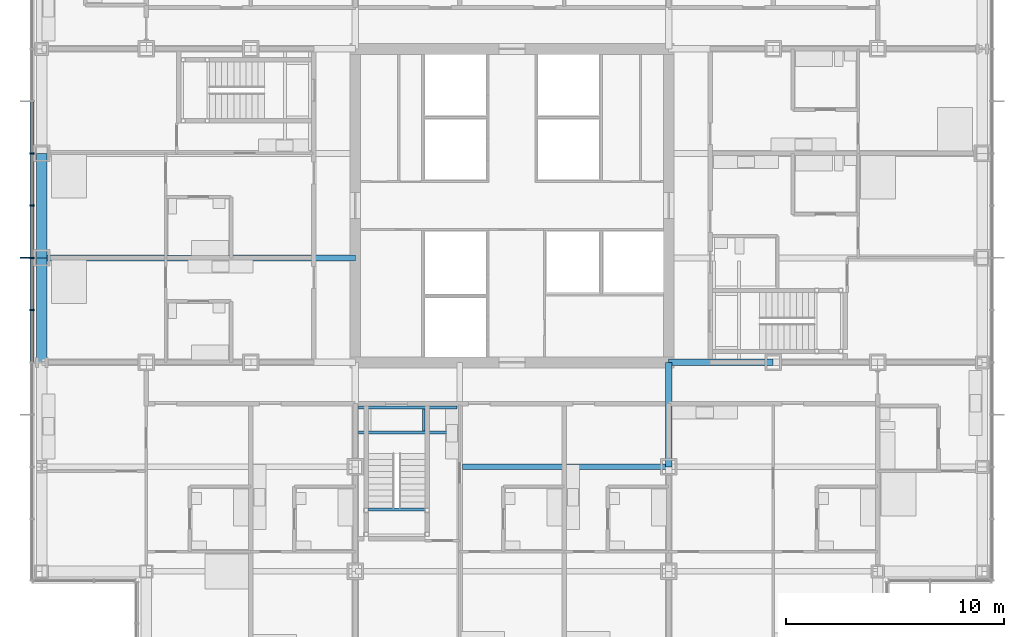
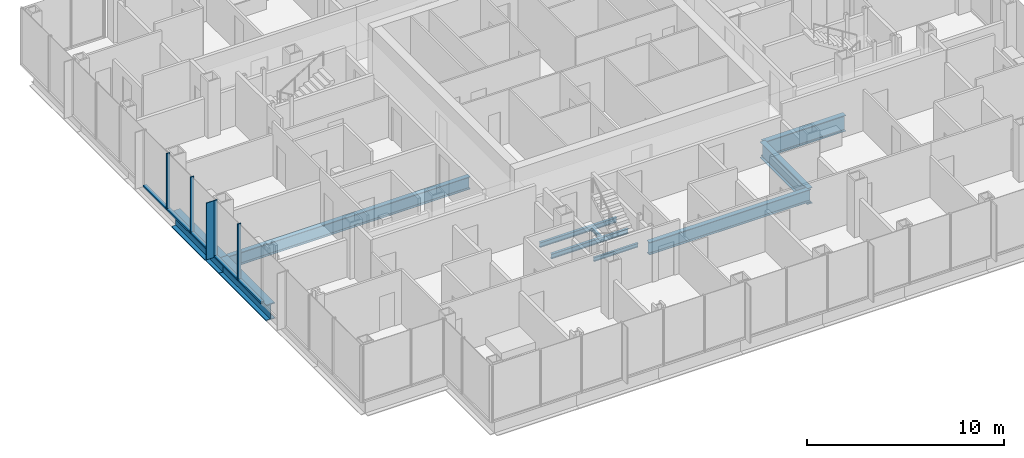
# One storey, part 7 of 21: 10 beams, 10 members, 1 element without a shape of its own.
"""IFC4 building model written with IfcOpenShell, lengths in metres."""

from ifc_helpers import new_model, si_unit, direction, frame, origin, origin_2d, place, context, subcontext, project, spatial, rectangle, i_section, extrude, material, material_profile, profile_set, type_object, element, aggregate, save


model = new_model("IFC4")

# Units and contexts
model_context = context("Model", 3, precision=1e-05, world=origin(), true_north=direction((0.0, 1.0)))
body_context = subcontext(model_context, "Body", "Model", "MODEL_VIEW")
ifc_project = project(units=[si_unit("LENGTHUNIT", "METRE"), si_unit("AREAUNIT", "SQUARE_METRE"), si_unit("VOLUMEUNIT", "CUBIC_METRE"), si_unit("PLANEANGLEUNIT", "RADIAN"), si_unit("MASSUNIT", "GRAM", prefix="KILO")], contexts=[model_context])

# Site, building, storey
site_placement = place(None, origin())
site = spatial("IfcSite", under=ifc_project, at=site_placement, CompositionType="ELEMENT")
building_placement = place(site_placement, origin())
building = spatial("IfcBuilding", under=site, at=building_placement, Name="Kvirike Care Tower", CompositionType="ELEMENT")
storey_placement = place(building_placement, frame((0.0, 0.0, 30.5)))
storey = spatial("IfcBuildingStorey", under=building, at=storey_placement, Name="L07", CompositionType="ELEMENT", Elevation=30.5)

# Curtain wall, members
ifc_material_1 = material(Name="Anodised aluminium stick system", Category="aluminium")
curtain_wall_type = type_object("IfcCurtainWallType", Name="CW-A STICK CURTAIN WALL", PredefinedType="NOTDEFINED", material=ifc_material_1)
curtain_wall_placement = place(storey_placement, origin())
curtain_wall = element("IfcCurtainWall", 1, at=curtain_wall_placement, inside=storey, type_object=curtain_wall_type, Name="Curtain wall L07 face 1", PredefinedType="NOTDEFINED")
ifc_material_2 = material(Name="Bronze anodised aluminium fin", Category="aluminium")
ifc_material_profile_1 = material_profile(ifc_material_2, rectangle(XDim=0.050048828125, YDim=0.449951171875, at=origin_2d()), Name="BRONZE FIN 450")
ifc_profile_set_1 = profile_set([ifc_material_profile_1], Name="Bronze anodised aluminium fin")
member_type_1 = type_object("IfcMemberType", Name="BRONZE FIN 450", PredefinedType="USERDEFINED", material=ifc_profile_set_1)
member_1_placement = place(storey_placement, frame((-0.77490234375, 33.60009765625, 0.0), z_axis=(0.0, 0.0, 1.0), x_axis=(0.0, -1.0, 0.0)))
member_1 = element("IfcMember", 2, at=member_1_placement, type_object=member_type_1, Name="Bronze fin L07 face 1.9", ObjectType="FIN", PredefinedType="USERDEFINED", context=body_context, shape_type="SweptSolid", body=[
    extrude(rectangle(XDim=0.050048828125, YDim=0.449951171875, at=origin_2d()), origin(), (0.0, 0.0, 1.0), 3.5),
])
ifc_material_3 = material(Name="Bronze anodised aluminium mullion", Category="aluminium")
ifc_material_profile_2 = material_profile(ifc_material_3, rectangle(XDim=0.06494140625, YDim=0.199951171875, at=origin_2d()), Name="CW-A MULLION 65x200")
ifc_profile_set_2 = profile_set([ifc_material_profile_2], Name="Bronze anodised aluminium mullion")
member_type_2 = type_object("IfcMemberType", Name="CW-A MULLION 65x200", PredefinedType="MULLION", material=ifc_profile_set_2)
member_2_placement = place(storey_placement, frame((-0.449951171875, 38.39990234375, 0.0), z_axis=(0.0, 0.0, 1.0), x_axis=(0.0, -1.0, 0.0)))
member_2 = element("IfcMember", 3, at=member_2_placement, type_object=member_type_2, Name="CW-A mullion L07 face 1.7", PredefinedType="MULLION", context=body_context, shape_type="SweptSolid", body=[
    extrude(rectangle(XDim=0.06494140625, YDim=0.199951171875, at=origin_2d()), origin(), (0.0, 0.0, 1.0), 3.5),
])
member_3_placement = place(storey_placement, frame((-0.449951171875, 36.0, 0.0), z_axis=(0.0, 0.0, 1.0), x_axis=(0.0, -1.0, 0.0)))
member_3 = element("IfcMember", 4, at=member_3_placement, type_object=member_type_2, Name="CW-A mullion L07 face 1.8", PredefinedType="MULLION", context=body_context, shape_type="SweptSolid", body=[
    extrude(rectangle(XDim=0.06494140625, YDim=0.199951171875, at=origin_2d()), origin(), (0.0, 0.0, 1.0), 3.5),
])
member_4_placement = place(storey_placement, frame((-0.449951171875, 33.60009765625, 0.0), z_axis=(0.0, 0.0, 1.0), x_axis=(0.0, -1.0, 0.0)))
member_4 = element("IfcMember", 5, at=member_4_placement, type_object=member_type_2, Name="CW-A mullion L07 face 1.9", PredefinedType="MULLION", context=body_context, shape_type="SweptSolid", body=[
    extrude(rectangle(XDim=0.06494140625, YDim=0.199951171875, at=origin_2d()), origin(), (0.0, 0.0, 1.0), 3.5),
])
member_5_placement = place(storey_placement, frame((-0.449951171875, 31.199951171875, 0.0), z_axis=(0.0, 0.0, 1.0), x_axis=(0.0, -1.0, 0.0)))
member_5 = element("IfcMember", 6, at=member_5_placement, type_object=member_type_2, Name="CW-A mullion L07 face 1.10", PredefinedType="MULLION", context=body_context, shape_type="SweptSolid", body=[
    extrude(rectangle(XDim=0.06494140625, YDim=0.199951171875, at=origin_2d()), origin(), (0.0, 0.0, 1.0), 3.5),
])
ifc_material_4 = material(Name="Bronze anodised aluminium transom", Category="aluminium")
ifc_material_profile_3 = material_profile(ifc_material_4, rectangle(XDim=0.199951171875, YDim=0.10009765625, at=origin_2d()), Name="CW-A TRANSOM 200x100")
ifc_profile_set_3 = profile_set([ifc_material_profile_3], Name="Bronze anodised aluminium transom")
member_type_3 = type_object("IfcMemberType", Name="CW-A TRANSOM 200x100", PredefinedType="USERDEFINED", material=ifc_profile_set_3)
member_6_placement = place(storey_placement, frame((-0.449951171875, 40.767578125, 0.050048828125), z_axis=(0.0, -1.0, 0.0), x_axis=(1.0, 0.0, 0.0)))
member_6 = element("IfcMember", 7, at=member_6_placement, type_object=member_type_3, Name="CW-A sill transom L07 face 1.6", ObjectType="TRANSOM", PredefinedType="USERDEFINED", context=body_context, shape_type="SweptSolid", body=[
    extrude(rectangle(XDim=0.199951171875, YDim=0.10009765625, at=origin_2d()), origin(), (0.0, 0.0, 1.0), 2.3349609375),
])
member_7_placement = place(storey_placement, frame((-0.449951171875, 38.367431640625, 0.050048828125), z_axis=(0.0, -1.0, 0.0), x_axis=(1.0, 0.0, 0.0)))
member_7 = element("IfcMember", 8, at=member_7_placement, type_object=member_type_3, Name="CW-A sill transom L07 face 1.7", ObjectType="TRANSOM", PredefinedType="USERDEFINED", context=body_context, shape_type="SweptSolid", body=[
    extrude(rectangle(XDim=0.199951171875, YDim=0.10009765625, at=origin_2d()), origin(), (0.0, 0.0, 1.0), 2.3349609375),
])
member_8_placement = place(storey_placement, frame((-0.449951171875, 35.967529296875, 0.050048828125), z_axis=(0.0, -1.0, 0.0), x_axis=(1.0, 0.0, 0.0)))
member_8 = element("IfcMember", 9, at=member_8_placement, type_object=member_type_3, Name="CW-A sill transom L07 face 1.8", ObjectType="TRANSOM", PredefinedType="USERDEFINED", context=body_context, shape_type="SweptSolid", body=[
    extrude(rectangle(XDim=0.199951171875, YDim=0.10009765625, at=origin_2d()), origin(), (0.0, 0.0, 1.0), 2.3349609375),
])
member_9_placement = place(storey_placement, frame((-0.449951171875, 33.5673828125, 0.050048828125), z_axis=(0.0, -1.0, 0.0), x_axis=(1.0, 0.0, 0.0)))
member_9 = element("IfcMember", 10, at=member_9_placement, type_object=member_type_3, Name="CW-A sill transom L07 face 1.9", ObjectType="TRANSOM", PredefinedType="USERDEFINED", context=body_context, shape_type="SweptSolid", body=[
    extrude(rectangle(XDim=0.199951171875, YDim=0.10009765625, at=origin_2d()), origin(), (0.0, 0.0, 1.0), 2.3349609375),
])
member_10_placement = place(storey_placement, frame((-0.449951171875, 31.16748046875, 0.050048828125), z_axis=(0.0, -1.0, 0.0), x_axis=(1.0, 0.0, 0.0)))
member_10 = element("IfcMember", 11, at=member_10_placement, type_object=member_type_3, Name="CW-A sill transom L07 face 1.10", ObjectType="TRANSOM", PredefinedType="USERDEFINED", context=body_context, shape_type="SweptSolid", body=[
    extrude(rectangle(XDim=0.199951171875, YDim=0.10009765625, at=origin_2d()), origin(), (0.0, 0.0, 1.0), 2.3349609375),
])
aggregate(curtain_wall, [member_2, member_3, member_4, member_1, member_5, member_6, member_7, member_8, member_9, member_10])

# Beams
ifc_material_5 = material(Name="Steel S355", Category="steel")
ifc_material_profile_4 = material_profile(ifc_material_5, i_section(OverallWidth=0.26806640625, OverallDepth=0.77001953125, WebThickness=0.015625, FlangeThickness=0.025390625, FilletRadius=0.01708984375, at=origin_2d()), Name="IPE 750x196")
ifc_profile_set_4 = profile_set([ifc_material_profile_4], Name="Steel S355")
beam_type_1 = type_object("IfcBeamType", Name="FLOOR BEAM IPE 750x196", PredefinedType="BEAM", material=ifc_profile_set_4)
beam_1_placement = place(storey_placement, frame((19.333984375, 24.0, -0.554931640625), z_axis=(1.0, 0.0, 0.0), x_axis=(0.0, 1.0, 0.0)))
element("IfcBeam", 12, at=beam_1_placement, inside=storey, type_object=beam_type_1, Name="Floor Beam F7-F9 L07", PredefinedType="BEAM", context=body_context, shape_type="SweptSolid", body=[
    extrude(i_section(OverallWidth=0.26806640625, OverallDepth=0.77001953125, WebThickness=0.015625, FlangeThickness=0.025390625, FilletRadius=0.01708984375, at=origin_2d()), origin(), (0.0, 0.0, 1.0), 9.466064453125),
])
beam_2_placement = place(storey_placement, frame((0.0, 33.60009765625, -0.554931640625), z_axis=(1.0, 0.0, 0.0), x_axis=(0.0, 1.0, 0.0)))
element("IfcBeam", 13, at=beam_2_placement, inside=storey, type_object=beam_type_1, Name="Floor Beam H3-H6 L07", PredefinedType="BEAM", context=body_context, shape_type="SweptSolid", body=[
    extrude(i_section(OverallWidth=0.26806640625, OverallDepth=0.77001953125, WebThickness=0.015625, FlangeThickness=0.025390625, FilletRadius=0.01708984375, at=origin_2d()), origin(), (0.0, 0.0, 1.0), 14.39990234375),
])
ifc_material_6 = material(Name="Steel S355", Category="steel")
ifc_material_profile_5 = material_profile(ifc_material_6, i_section(OverallWidth=0.300048828125, OverallDepth=1.0, WebThickness=0.01904296875, FlangeThickness=0.035888671875, FilletRadius=0.030029296875, at=origin_2d()), Name="HE 1000 B")
ifc_profile_set_5 = profile_set([ifc_material_profile_5], Name="Steel S355")
beam_type_2 = type_object("IfcBeamType", Name="FRAME BEAM HE 1000 B", PredefinedType="BEAM", material=ifc_profile_set_5)
for number, where, z_axis, x_axis, name in (
    (14, (28.800048828125, 28.800048828125, -0.669921875), (1.0, 0.0, 0.0), (0.0, 1.0, 0.0), "Frame Beam G9-G10 L07"),
    (15, (28.800048828125, 24.0, -0.669921875), (0.0, 1.0, 0.0), (-1.0, 0.0, 0.0), "Frame Beam F9-G9 L07"),
):
    element("IfcBeam", number, at=place(storey_placement, frame(where, z_axis=z_axis, x_axis=x_axis)), inside=storey, type_object=beam_type_2, Name=name, PredefinedType="BEAM", context=body_context, shape_type="SweptSolid", body=[
        extrude(i_section(OverallWidth=0.300048828125, OverallDepth=1.0, WebThickness=0.01904296875, FlangeThickness=0.035888671875, FilletRadius=0.030029296875, at=origin_2d()), origin(), (0.0, 0.0, 1.0), 4.800048828125),
    ])
ifc_material_7 = material(Name="Steel S355", Category="steel")
ifc_material_profile_6 = material_profile(ifc_material_7, i_section(OverallWidth=0.5, OverallDepth=1.0, WebThickness=0.030029296875, FlangeThickness=0.06005859375, at=origin_2d()), Name="PG 1000x500x30x60")
ifc_profile_set_6 = profile_set([ifc_material_profile_6], Name="Steel S355")
beam_type_3 = type_object("IfcBeamType", Name="SPANDREL PG 1000x500x30x60", PredefinedType="SPANDREL", material=ifc_profile_set_6)
beam_3_placement = place(storey_placement, frame((0.0, 28.800048828125, -0.669921875), z_axis=(0.0, 1.0, 0.0), x_axis=(-1.0, 0.0, 0.0)))
element("IfcBeam", 16, at=beam_3_placement, inside=storey, type_object=beam_type_3, Name="Spandrel G3-H3 L07", PredefinedType="SPANDREL", context=body_context, shape_type="SweptSolid", body=[
    extrude(i_section(OverallWidth=0.5, OverallDepth=1.0, WebThickness=0.030029296875, FlangeThickness=0.06005859375, at=origin_2d()), origin(), (0.0, 0.0, 1.0), 4.800048828125),
])
beam_4_placement = place(storey_placement, frame((0.0, 33.60009765625, -0.669921875), z_axis=(0.0, 1.0, 0.0), x_axis=(-1.0, 0.0, 0.0)))
element("IfcBeam", 17, at=beam_4_placement, inside=storey, type_object=beam_type_3, Name="Spandrel H3-J3 L07", PredefinedType="SPANDREL", context=body_context, shape_type="SweptSolid", body=[
    extrude(i_section(OverallWidth=0.5, OverallDepth=1.0, WebThickness=0.030029296875, FlangeThickness=0.06005859375, at=origin_2d()), origin(), (0.0, 0.0, 1.0), 4.7998046875),
])
ifc_material_8 = material(Name="Steel S355", Category="steel")
ifc_material_profile_7 = material_profile(ifc_material_8, i_section(OverallWidth=0.1201171875, OverallDepth=0.239990234375, WebThickness=0.006103515625, FlangeThickness=0.009765625, FilletRadius=0.014892578125, at=origin_2d()), Name="IPE 240")
ifc_profile_set_7 = profile_set([ifc_material_profile_7], Name="Steel S355")
beam_type_4 = type_object("IfcBeamType", Name="STAIR LANDING BEAM IPE 240", PredefinedType="BEAM", material=ifc_profile_set_7)
beam_5_placement = place(storey_placement, frame((15.0, 22.0400390625, 1.429931640625), z_axis=(1.0, 0.0, 0.0), x_axis=(0.0, 1.0, 0.0)))
element("IfcBeam", 18, at=beam_5_placement, inside=storey, type_object=beam_type_4, Name="Stair 5 landing beam front L07", PredefinedType="BEAM", context=body_context, shape_type="SweptSolid", body=[
    extrude(i_section(OverallWidth=0.1201171875, OverallDepth=0.239990234375, WebThickness=0.006103515625, FlangeThickness=0.009765625, FilletRadius=0.014892578125, at=origin_2d()), origin(), (0.0, 0.0, 1.0), 2.60009765625),
])
beam_6_placement = place(storey_placement, frame((17.5400390625, 25.64990234375, -0.320068359375), z_axis=(0.0, 1.0, 0.0), x_axis=(-1.0, 0.0, 0.0)))
element("IfcBeam", 19, at=beam_6_placement, inside=storey, type_object=beam_type_4, Name="Stair 5 landing edge beam 2 L07", PredefinedType="BEAM", context=body_context, shape_type="SweptSolid", body=[
    extrude(i_section(OverallWidth=0.1201171875, OverallDepth=0.239990234375, WebThickness=0.006103515625, FlangeThickness=0.009765625, FilletRadius=0.014892578125, at=origin_2d()), origin(), (0.0, 0.0, 1.0), 1.0),
])
ifc_material_9 = material(Name="Steel S355", Category="steel")
ifc_material_profile_8 = material_profile(ifc_material_9, i_section(OverallWidth=0.14990234375, OverallDepth=0.300048828125, WebThickness=0.007080078125, FlangeThickness=0.0107421875, FilletRadius=0.014892578125, at=origin_2d()), Name="IPE 300")
ifc_profile_set_8 = profile_set([ifc_material_profile_8], Name="Steel S355")
beam_type_5 = type_object("IfcBeamType", Name="STAIR TRIMMER IPE 300", PredefinedType="BEAM", material=ifc_profile_set_8)
for number, where, z_axis, x_axis, name in (
    (20, (14.550048828125, 25.574951171875, -0.35009765625), (1.0, 0.0, 0.0), (0.0, 1.0, 0.0), "Stair 5 trimmer 1 L07"),
    (21, (14.550048828125, 26.72509765625, -0.35009765625), (1.0, 0.0, 0.0), (0.0, 1.0, 0.0), "Stair 5 trimmer 2 L07"),
):
    element("IfcBeam", number, at=place(storey_placement, frame(where, z_axis=z_axis, x_axis=x_axis)), inside=storey, type_object=beam_type_5, Name=name, PredefinedType="BEAM", context=body_context, shape_type="SweptSolid", body=[
        extrude(i_section(OverallWidth=0.14990234375, OverallDepth=0.300048828125, WebThickness=0.007080078125, FlangeThickness=0.0107421875, FilletRadius=0.014892578125, at=origin_2d()), origin(), (0.0, 0.0, 1.0), 4.515869140625),
    ])

save(model, "model.ifc")
